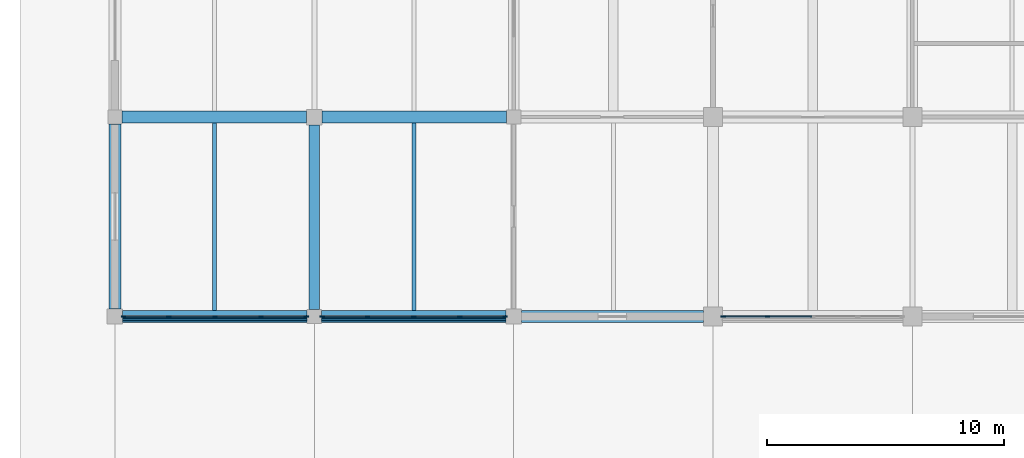
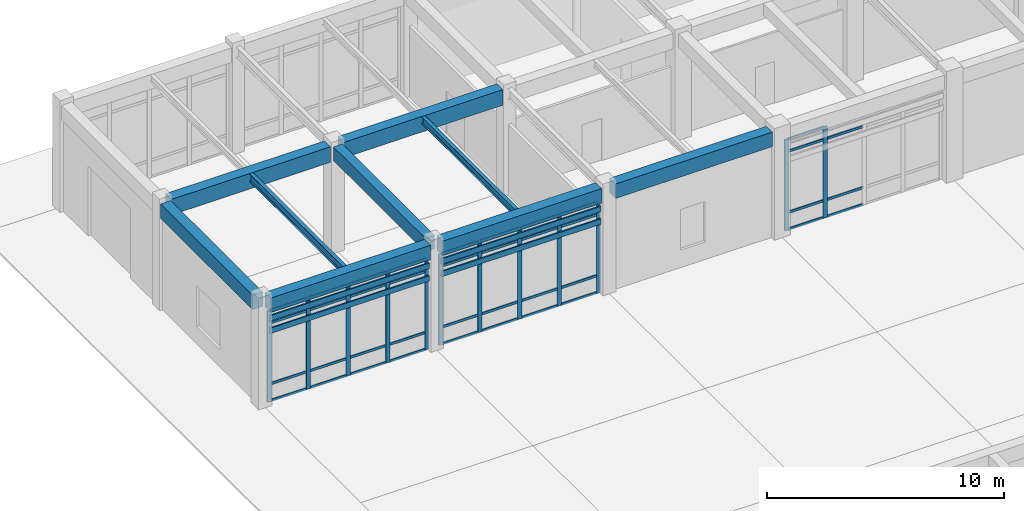
# One storey, part 19 of 91: 55 members, 9 beams, 3 elements without a shape of their own.
"""IFC4 building model written with IfcOpenShell, lengths in metres."""

from ifc_helpers import new_model, si_unit, direction, frame, origin, origin_2d, place, context, subcontext, project, spatial, rectangle, i_section, extrude, material, layer, layer_set, material_profile, profile_set, type_object, element, aggregate, save


model = new_model("IFC4")

# Units and contexts
model_context = context("Model", 3, precision=1e-05, world=origin(), true_north=direction((0.0, 1.0)))
body_context = subcontext(model_context, "Body", "Model", "MODEL_VIEW")
ifc_project = project(units=[si_unit("LENGTHUNIT", "METRE"), si_unit("AREAUNIT", "SQUARE_METRE"), si_unit("VOLUMEUNIT", "CUBIC_METRE"), si_unit("PLANEANGLEUNIT", "RADIAN"), si_unit("MASSUNIT", "GRAM", prefix="KILO")], contexts=[model_context])

# Site, building, storey
site_placement = place(None, origin())
site = spatial("IfcSite", under=ifc_project, at=site_placement, CompositionType="ELEMENT")
building_placement = place(site_placement, origin())
building = spatial("IfcBuilding", under=site, at=building_placement, Name="Porcellanite Civic Hall", CompositionType="ELEMENT")
storey_placement = place(building_placement, origin())
storey = spatial("IfcBuildingStorey", under=building, at=storey_placement, Name="L00", CompositionType="ELEMENT", Elevation=0.0)

# Beams
ifc_material_1 = material(Name="Concrete N50 (50 MPa)", Category="concrete")
ifc_material_profile_1 = material_profile(ifc_material_1, rectangle(XDim=0.449951171875, YDim=0.699951171875, at=origin_2d()), Name="RC-450x700")
ifc_profile_set_1 = profile_set([ifc_material_profile_1], Name="Concrete N50 (50 MPa)")
beam_type_1 = type_object("IfcBeamType", Name="BM-RC700", PredefinedType="BEAM", material=ifc_profile_set_1)
beam_1_placement = place(storey_placement, frame((8.39990234375, 101.099609375, 5.14990234375), z_axis=(0.0, 1.0, 0.0), x_axis=(-1.0, 0.0, 0.0)))
element("IfcBeam", 1, at=beam_1_placement, inside=storey, type_object=beam_type_1, Name="Beam Y L00 2-13", PredefinedType="BEAM", context=body_context, shape_type="SweptSolid", body=[
    extrude(rectangle(XDim=0.449951171875, YDim=0.699951171875, at=origin_2d()), origin(), (0.0, 0.0, 1.0), 7.77587890625),
])
ifc_material_2 = material(Name="Concrete N50 (50 MPa)", Category="concrete")
ifc_material_profile_2 = material_profile(ifc_material_2, rectangle(XDim=0.5, YDim=0.75, at=origin_2d()), Name="RC-500x750")
ifc_profile_set_2 = profile_set([ifc_material_profile_2], Name="Concrete N50 (50 MPa)")
beam_type_2 = type_object("IfcBeamType", Name="BM-RC750", PredefinedType="SPANDREL", material=ifc_profile_set_2)
for number, where, z_axis, x_axis, name in (
    (2, (0.324462890625, 100.800048828125, 5.125), (1.0, 0.0, 0.0), (0.0, 1.0, 0.0), "Beam X L00 1-13"),
    (3, (8.699462890625, 100.800048828125, 5.125), (1.0, 0.0, 0.0), (0.0, 1.0, 0.0), "Beam X L00 2-13"),
):
    element("IfcBeam", number, at=place(storey_placement, frame(where, z_axis=z_axis, x_axis=x_axis)), inside=storey, type_object=beam_type_2, Name=name, PredefinedType="SPANDREL", context=body_context, shape_type="SweptSolid", body=[
        extrude(rectangle(XDim=0.5, YDim=0.75, at=origin_2d()), origin(), (0.0, 0.0, 1.0), 7.776123046875),
    ])
beam_2_placement = place(storey_placement, frame((17.12451171875, 100.800048828125, 5.125), z_axis=(1.0, 0.0, 0.0), x_axis=(0.0, 1.0, 0.0)))
element("IfcBeam", 4, at=beam_2_placement, inside=storey, type_object=beam_type_2, Name="Beam X L00 3-13", PredefinedType="SPANDREL", context=body_context, shape_type="SweptSolid", body=[
    extrude(rectangle(XDim=0.5, YDim=0.75, at=origin_2d()), origin(), (0.0, 0.0, 1.0), 7.676025390625),
])
beam_3_placement = place(storey_placement, frame((0.0, 101.12451171875, 5.125), z_axis=(0.0, 1.0, 0.0), x_axis=(-1.0, 0.0, 0.0)))
element("IfcBeam", 5, at=beam_3_placement, inside=storey, type_object=beam_type_2, Name="Beam Y L00 1-13", PredefinedType="SPANDREL", context=body_context, shape_type="SweptSolid", body=[
    extrude(rectangle(XDim=0.5, YDim=0.75, at=origin_2d()), origin(), (0.0, 0.0, 1.0), 7.77587890625),
])
ifc_material_3 = material(Name="Concrete N50 (50 MPa)", Category="concrete")
ifc_material_profile_3 = material_profile(ifc_material_3, rectangle(XDim=0.5, YDim=0.800048828125, at=origin_2d()), Name="RC-500x800")
ifc_profile_set_3 = profile_set([ifc_material_profile_3], Name="Concrete N50 (50 MPa)")
beam_type_3 = type_object("IfcBeamType", Name="BM-RC800", PredefinedType="BEAM", material=ifc_profile_set_3)
for number, where, z_axis, x_axis, name in (
    (6, (0.299560546875, 109.199951171875, 5.10009765625), (1.0, 0.0, 0.0), (0.0, 1.0, 0.0), "Beam X L00 1-14"),
    (7, (8.724609375, 109.199951171875, 5.10009765625), (1.0, 0.0, 0.0), (0.0, 1.0, 0.0), "Beam X L00 2-14"),
):
    element("IfcBeam", number, at=place(storey_placement, frame(where, z_axis=z_axis, x_axis=x_axis)), inside=storey, type_object=beam_type_3, Name=name, PredefinedType="BEAM", context=body_context, shape_type="SweptSolid", body=[
        extrude(rectangle(XDim=0.5, YDim=0.800048828125, at=origin_2d()), origin(), (0.0, 0.0, 1.0), 7.77587890625),
    ])

# Curtain wall, members
ifc_material_4 = material(Name="Anodised aluminium and solar laminated glass", Category="aluminium")
ifc_layer = layer(ifc_material_4, 0.179931640625)
ifc_layer_set = layer_set([ifc_layer], Name="Anodised aluminium and solar laminated glass")
curtain_wall_type = type_object("IfcCurtainWallType", Name="CW-SYS05", PredefinedType="NOTDEFINED", material=ifc_layer_set)
curtain_wall_1_placement = place(storey_placement, origin())
curtain_wall_1 = element("IfcCurtainWall", 8, at=curtain_wall_1_placement, inside=storey, type_object=curtain_wall_type, Name="Curtain wall CW-005", PredefinedType="NOTDEFINED")
ifc_material_5 = material(Name="Anodised aluminium 6063-T6", Category="aluminium")
ifc_material_profile_4 = material_profile(ifc_material_5, rectangle(XDim=0.070068359375, YDim=0.199951171875, at=origin_2d()), Name="AL-70x200")
ifc_profile_set_4 = profile_set([ifc_material_profile_4], Name="Anodised aluminium 6063-T6")
member_type_1 = type_object("IfcMemberType", Name="CWM-05", PredefinedType="MULLION", material=ifc_profile_set_4)
member_1_placement = place(storey_placement, frame((8.06396484375, 100.800048828125, 0.0), z_axis=(0.0, 0.0, 1.0), x_axis=(0.0, -1.0, 0.0)))
member_1 = element("IfcMember", 9, at=member_1_placement, type_object=member_type_1, Name="CW-005 mullion 1", PredefinedType="MULLION", context=body_context, shape_type="SweptSolid", body=[
    extrude(rectangle(XDim=0.070068359375, YDim=0.199951171875, at=origin_2d()), origin(), (0.0, 0.0, 1.0), 4.699951171875),
])
member_2_placement = place(storey_placement, frame((6.15576171875, 100.800048828125, 0.0), z_axis=(0.0, 0.0, 1.0), x_axis=(0.0, -1.0, 0.0)))
member_2 = element("IfcMember", 10, at=member_2_placement, type_object=member_type_1, Name="CW-005 mullion 2", PredefinedType="MULLION", context=body_context, shape_type="SweptSolid", body=[
    extrude(rectangle(XDim=0.070068359375, YDim=0.199951171875, at=origin_2d()), origin(), (0.0, 0.0, 1.0), 4.699951171875),
])
member_3_placement = place(storey_placement, frame((4.21240234375, 100.800048828125, 0.0), z_axis=(0.0, 0.0, 1.0), x_axis=(0.0, -1.0, 0.0)))
member_3 = element("IfcMember", 11, at=member_3_placement, type_object=member_type_1, Name="CW-005 mullion 3", PredefinedType="MULLION", context=body_context, shape_type="SweptSolid", body=[
    extrude(rectangle(XDim=0.070068359375, YDim=0.199951171875, at=origin_2d()), origin(), (0.0, 0.0, 1.0), 4.699951171875),
])
member_4_placement = place(storey_placement, frame((2.269287109375, 100.800048828125, 0.0), z_axis=(0.0, 0.0, 1.0), x_axis=(0.0, -1.0, 0.0)))
member_4 = element("IfcMember", 12, at=member_4_placement, type_object=member_type_1, Name="CW-005 mullion 4", PredefinedType="MULLION", context=body_context, shape_type="SweptSolid", body=[
    extrude(rectangle(XDim=0.070068359375, YDim=0.199951171875, at=origin_2d()), origin(), (0.0, 0.0, 1.0), 4.699951171875),
])
member_5_placement = place(storey_placement, frame((0.361083984375, 100.800048828125, 0.0), z_axis=(0.0, 0.0, 1.0), x_axis=(0.0, -1.0, 0.0)))
member_5 = element("IfcMember", 13, at=member_5_placement, type_object=member_type_1, Name="CW-005 mullion 5", PredefinedType="MULLION", context=body_context, shape_type="SweptSolid", body=[
    extrude(rectangle(XDim=0.070068359375, YDim=0.199951171875, at=origin_2d()), origin(), (0.0, 0.0, 1.0), 4.699951171875),
])

curtain_wall_2_placement = place(storey_placement, origin())
curtain_wall_2 = element("IfcCurtainWall", 14, at=curtain_wall_2_placement, inside=storey, type_object=curtain_wall_type, Name="Curtain wall CW-008", PredefinedType="NOTDEFINED")
member_6_placement = place(storey_placement, frame((16.43896484375, 100.800048828125, 0.0), z_axis=(0.0, 0.0, 1.0), x_axis=(0.0, -1.0, 0.0)))
member_6 = element("IfcMember", 15, at=member_6_placement, type_object=member_type_1, Name="CW-008 mullion 1", PredefinedType="MULLION", context=body_context, shape_type="SweptSolid", body=[
    extrude(rectangle(XDim=0.070068359375, YDim=0.199951171875, at=origin_2d()), origin(), (0.0, 0.0, 1.0), 4.699951171875),
])
member_7_placement = place(storey_placement, frame((14.53076171875, 100.800048828125, 0.0), z_axis=(0.0, 0.0, 1.0), x_axis=(0.0, -1.0, 0.0)))
member_7 = element("IfcMember", 16, at=member_7_placement, type_object=member_type_1, Name="CW-008 mullion 2", PredefinedType="MULLION", context=body_context, shape_type="SweptSolid", body=[
    extrude(rectangle(XDim=0.070068359375, YDim=0.199951171875, at=origin_2d()), origin(), (0.0, 0.0, 1.0), 4.699951171875),
])
member_8_placement = place(storey_placement, frame((12.58740234375, 100.800048828125, 0.0), z_axis=(0.0, 0.0, 1.0), x_axis=(0.0, -1.0, 0.0)))
member_8 = element("IfcMember", 17, at=member_8_placement, type_object=member_type_1, Name="CW-008 mullion 3", PredefinedType="MULLION", context=body_context, shape_type="SweptSolid", body=[
    extrude(rectangle(XDim=0.070068359375, YDim=0.199951171875, at=origin_2d()), origin(), (0.0, 0.0, 1.0), 4.699951171875),
])
member_9_placement = place(storey_placement, frame((10.644287109375, 100.800048828125, 0.0), z_axis=(0.0, 0.0, 1.0), x_axis=(0.0, -1.0, 0.0)))
member_9 = element("IfcMember", 18, at=member_9_placement, type_object=member_type_1, Name="CW-008 mullion 4", PredefinedType="MULLION", context=body_context, shape_type="SweptSolid", body=[
    extrude(rectangle(XDim=0.070068359375, YDim=0.199951171875, at=origin_2d()), origin(), (0.0, 0.0, 1.0), 4.699951171875),
])
member_10_placement = place(storey_placement, frame((8.736083984375, 100.800048828125, 0.0), z_axis=(0.0, 0.0, 1.0), x_axis=(0.0, -1.0, 0.0)))
member_10 = element("IfcMember", 19, at=member_10_placement, type_object=member_type_1, Name="CW-008 mullion 5", PredefinedType="MULLION", context=body_context, shape_type="SweptSolid", body=[
    extrude(rectangle(XDim=0.070068359375, YDim=0.199951171875, at=origin_2d()), origin(), (0.0, 0.0, 1.0), 4.699951171875),
])

curtain_wall_3_placement = place(storey_placement, origin())
curtain_wall_3 = element("IfcCurtainWall", 20, at=curtain_wall_3_placement, inside=storey, type_object=curtain_wall_type, Name="Curtain wall CW-013", PredefinedType="NOTDEFINED")
member_11_placement = place(storey_placement, frame((27.50048828125, 100.800048828125, 0.0), z_axis=(0.0, 0.0, 1.0), x_axis=(0.0, -1.0, 0.0)))
member_11 = element("IfcMember", 21, at=member_11_placement, type_object=member_type_1, Name="CW-013 mullion 4", PredefinedType="MULLION", context=body_context, shape_type="SweptSolid", body=[
    extrude(rectangle(XDim=0.070068359375, YDim=0.199951171875, at=origin_2d()), origin(), (0.0, 0.0, 1.0), 4.699951171875),
])
member_12_placement = place(storey_placement, frame((25.635986328125, 100.800048828125, 0.0), z_axis=(0.0, 0.0, 1.0), x_axis=(0.0, -1.0, 0.0)))
member_12 = element("IfcMember", 22, at=member_12_placement, type_object=member_type_1, Name="CW-013 mullion 5", PredefinedType="MULLION", context=body_context, shape_type="SweptSolid", body=[
    extrude(rectangle(XDim=0.070068359375, YDim=0.199951171875, at=origin_2d()), origin(), (0.0, 0.0, 1.0), 4.699951171875),
])

# Member
ifc_material_6 = material(Name="Anodised aluminium 6063-T6", Category="aluminium")
ifc_material_profile_5 = material_profile(ifc_material_6, rectangle(XDim=0.06005859375, YDim=0.1298828125, at=origin_2d()), Name="AL-60x130")
ifc_profile_set_5 = profile_set([ifc_material_profile_5], Name="Anodised aluminium 6063-T6")
member_type_2 = type_object("IfcMemberType", Name="CWT-03", PredefinedType="USERDEFINED", material=ifc_profile_set_5)
member_13_placement = place(storey_placement, frame((8.029052734375, 100.800048828125, 0.030029296875), z_axis=(-1.0, 0.0, 0.0), x_axis=(0.0, -1.0, 0.0)))
member_13 = element("IfcMember", 23, at=member_13_placement, type_object=member_type_2, Name="CW-005 transom 1.1", ObjectType="TRANSOM", PredefinedType="USERDEFINED", context=body_context, shape_type="SweptSolid", body=[
    extrude(rectangle(XDim=0.06005859375, YDim=0.1298828125, at=origin_2d()), origin(), (0.0, 0.0, 1.0), 1.83837890625),
])

member_14_placement = place(storey_placement, frame((8.029052734375, 100.800048828125, 0.89990234375), z_axis=(-1.0, 0.0, 0.0), x_axis=(0.0, -1.0, 0.0)))
member_14 = element("IfcMember", 24, at=member_14_placement, type_object=member_type_2, Name="CW-005 transom 1.2", ObjectType="TRANSOM", PredefinedType="USERDEFINED", context=body_context, shape_type="SweptSolid", body=[
    extrude(rectangle(XDim=0.06005859375, YDim=0.1298828125, at=origin_2d()), origin(), (0.0, 0.0, 1.0), 1.83837890625),
])

member_15_placement = place(storey_placement, frame((8.029052734375, 100.800048828125, 4.050048828125), z_axis=(-1.0, 0.0, 0.0), x_axis=(0.0, -1.0, 0.0)))
member_15 = element("IfcMember", 25, at=member_15_placement, type_object=member_type_2, Name="CW-005 transom 1.3", ObjectType="TRANSOM", PredefinedType="USERDEFINED", context=body_context, shape_type="SweptSolid", body=[
    extrude(rectangle(XDim=0.06005859375, YDim=0.1298828125, at=origin_2d()), origin(), (0.0, 0.0, 1.0), 1.83837890625),
])

member_16_placement = place(storey_placement, frame((8.029052734375, 100.800048828125, 4.669921875), z_axis=(-1.0, 0.0, 0.0), x_axis=(0.0, -1.0, 0.0)))
member_16 = element("IfcMember", 26, at=member_16_placement, type_object=member_type_2, Name="CW-005 transom 1.4", ObjectType="TRANSOM", PredefinedType="USERDEFINED", context=body_context, shape_type="SweptSolid", body=[
    extrude(rectangle(XDim=0.06005859375, YDim=0.1298828125, at=origin_2d()), origin(), (0.0, 0.0, 1.0), 1.83837890625),
])

member_17_placement = place(storey_placement, frame((6.120849609375, 100.800048828125, 0.030029296875), z_axis=(-1.0, 0.0, 0.0), x_axis=(0.0, -1.0, 0.0)))
member_17 = element("IfcMember", 27, at=member_17_placement, type_object=member_type_2, Name="CW-005 transom 2.1", ObjectType="TRANSOM", PredefinedType="USERDEFINED", context=body_context, shape_type="SweptSolid", body=[
    extrude(rectangle(XDim=0.06005859375, YDim=0.1298828125, at=origin_2d()), origin(), (0.0, 0.0, 1.0), 1.873291015625),
])

member_18_placement = place(storey_placement, frame((6.120849609375, 100.800048828125, 0.89990234375), z_axis=(-1.0, 0.0, 0.0), x_axis=(0.0, -1.0, 0.0)))
member_18 = element("IfcMember", 28, at=member_18_placement, type_object=member_type_2, Name="CW-005 transom 2.2", ObjectType="TRANSOM", PredefinedType="USERDEFINED", context=body_context, shape_type="SweptSolid", body=[
    extrude(rectangle(XDim=0.06005859375, YDim=0.1298828125, at=origin_2d()), origin(), (0.0, 0.0, 1.0), 1.873291015625),
])

member_19_placement = place(storey_placement, frame((6.120849609375, 100.800048828125, 4.050048828125), z_axis=(-1.0, 0.0, 0.0), x_axis=(0.0, -1.0, 0.0)))
member_19 = element("IfcMember", 29, at=member_19_placement, type_object=member_type_2, Name="CW-005 transom 2.3", ObjectType="TRANSOM", PredefinedType="USERDEFINED", context=body_context, shape_type="SweptSolid", body=[
    extrude(rectangle(XDim=0.06005859375, YDim=0.1298828125, at=origin_2d()), origin(), (0.0, 0.0, 1.0), 1.873291015625),
])

member_20_placement = place(storey_placement, frame((6.120849609375, 100.800048828125, 4.669921875), z_axis=(-1.0, 0.0, 0.0), x_axis=(0.0, -1.0, 0.0)))
member_20 = element("IfcMember", 30, at=member_20_placement, type_object=member_type_2, Name="CW-005 transom 2.4", ObjectType="TRANSOM", PredefinedType="USERDEFINED", context=body_context, shape_type="SweptSolid", body=[
    extrude(rectangle(XDim=0.06005859375, YDim=0.1298828125, at=origin_2d()), origin(), (0.0, 0.0, 1.0), 1.873291015625),
])

member_21_placement = place(storey_placement, frame((4.177490234375, 100.800048828125, 0.030029296875), z_axis=(-1.0, 0.0, 0.0), x_axis=(0.0, -1.0, 0.0)))
member_21 = element("IfcMember", 31, at=member_21_placement, type_object=member_type_2, Name="CW-005 transom 3.1", ObjectType="TRANSOM", PredefinedType="USERDEFINED", context=body_context, shape_type="SweptSolid", body=[
    extrude(rectangle(XDim=0.06005859375, YDim=0.1298828125, at=origin_2d()), origin(), (0.0, 0.0, 1.0), 1.873291015625),
])

member_22_placement = place(storey_placement, frame((4.177490234375, 100.800048828125, 0.89990234375), z_axis=(-1.0, 0.0, 0.0), x_axis=(0.0, -1.0, 0.0)))
member_22 = element("IfcMember", 32, at=member_22_placement, type_object=member_type_2, Name="CW-005 transom 3.2", ObjectType="TRANSOM", PredefinedType="USERDEFINED", context=body_context, shape_type="SweptSolid", body=[
    extrude(rectangle(XDim=0.06005859375, YDim=0.1298828125, at=origin_2d()), origin(), (0.0, 0.0, 1.0), 1.873291015625),
])

member_23_placement = place(storey_placement, frame((4.177490234375, 100.800048828125, 4.050048828125), z_axis=(-1.0, 0.0, 0.0), x_axis=(0.0, -1.0, 0.0)))
member_23 = element("IfcMember", 33, at=member_23_placement, type_object=member_type_2, Name="CW-005 transom 3.3", ObjectType="TRANSOM", PredefinedType="USERDEFINED", context=body_context, shape_type="SweptSolid", body=[
    extrude(rectangle(XDim=0.06005859375, YDim=0.1298828125, at=origin_2d()), origin(), (0.0, 0.0, 1.0), 1.873291015625),
])

member_24_placement = place(storey_placement, frame((4.177490234375, 100.800048828125, 4.669921875), z_axis=(-1.0, 0.0, 0.0), x_axis=(0.0, -1.0, 0.0)))
member_24 = element("IfcMember", 34, at=member_24_placement, type_object=member_type_2, Name="CW-005 transom 3.4", ObjectType="TRANSOM", PredefinedType="USERDEFINED", context=body_context, shape_type="SweptSolid", body=[
    extrude(rectangle(XDim=0.06005859375, YDim=0.1298828125, at=origin_2d()), origin(), (0.0, 0.0, 1.0), 1.873291015625),
])

member_25_placement = place(storey_placement, frame((2.234130859375, 100.800048828125, 0.030029296875), z_axis=(-1.0, 0.0, 0.0), x_axis=(0.0, -1.0, 0.0)))
member_25 = element("IfcMember", 35, at=member_25_placement, type_object=member_type_2, Name="CW-005 transom 4.1", ObjectType="TRANSOM", PredefinedType="USERDEFINED", context=body_context, shape_type="SweptSolid", body=[
    extrude(rectangle(XDim=0.06005859375, YDim=0.1298828125, at=origin_2d()), origin(), (0.0, 0.0, 1.0), 1.838134765625),
])

member_26_placement = place(storey_placement, frame((2.234130859375, 100.800048828125, 0.89990234375), z_axis=(-1.0, 0.0, 0.0), x_axis=(0.0, -1.0, 0.0)))
member_26 = element("IfcMember", 36, at=member_26_placement, type_object=member_type_2, Name="CW-005 transom 4.2", ObjectType="TRANSOM", PredefinedType="USERDEFINED", context=body_context, shape_type="SweptSolid", body=[
    extrude(rectangle(XDim=0.06005859375, YDim=0.1298828125, at=origin_2d()), origin(), (0.0, 0.0, 1.0), 1.838134765625),
])

member_27_placement = place(storey_placement, frame((2.234130859375, 100.800048828125, 4.050048828125), z_axis=(-1.0, 0.0, 0.0), x_axis=(0.0, -1.0, 0.0)))
member_27 = element("IfcMember", 37, at=member_27_placement, type_object=member_type_2, Name="CW-005 transom 4.3", ObjectType="TRANSOM", PredefinedType="USERDEFINED", context=body_context, shape_type="SweptSolid", body=[
    extrude(rectangle(XDim=0.06005859375, YDim=0.1298828125, at=origin_2d()), origin(), (0.0, 0.0, 1.0), 1.838134765625),
])

member_28_placement = place(storey_placement, frame((2.234130859375, 100.800048828125, 4.669921875), z_axis=(-1.0, 0.0, 0.0), x_axis=(0.0, -1.0, 0.0)))
member_28 = element("IfcMember", 38, at=member_28_placement, type_object=member_type_2, Name="CW-005 transom 4.4", ObjectType="TRANSOM", PredefinedType="USERDEFINED", context=body_context, shape_type="SweptSolid", body=[
    extrude(rectangle(XDim=0.06005859375, YDim=0.1298828125, at=origin_2d()), origin(), (0.0, 0.0, 1.0), 1.838134765625),
])

aggregate(curtain_wall_1, [member_1, member_2, member_3, member_4, member_5, member_13, member_14, member_15, member_16, member_17, member_18, member_19, member_20, member_21, member_22, member_23, member_24, member_25, member_26, member_27, member_28])

member_29_placement = place(storey_placement, frame((16.404052734375, 100.800048828125, 0.030029296875), z_axis=(-1.0, 0.0, 0.0), x_axis=(0.0, -1.0, 0.0)))
member_29 = element("IfcMember", 39, at=member_29_placement, type_object=member_type_2, Name="CW-008 transom 1.1", ObjectType="TRANSOM", PredefinedType="USERDEFINED", context=body_context, shape_type="SweptSolid", body=[
    extrude(rectangle(XDim=0.06005859375, YDim=0.1298828125, at=origin_2d()), origin(), (0.0, 0.0, 1.0), 1.83837890625),
])

member_30_placement = place(storey_placement, frame((16.404052734375, 100.800048828125, 0.89990234375), z_axis=(-1.0, 0.0, 0.0), x_axis=(0.0, -1.0, 0.0)))
member_30 = element("IfcMember", 40, at=member_30_placement, type_object=member_type_2, Name="CW-008 transom 1.2", ObjectType="TRANSOM", PredefinedType="USERDEFINED", context=body_context, shape_type="SweptSolid", body=[
    extrude(rectangle(XDim=0.06005859375, YDim=0.1298828125, at=origin_2d()), origin(), (0.0, 0.0, 1.0), 1.83837890625),
])

member_31_placement = place(storey_placement, frame((16.404052734375, 100.800048828125, 4.050048828125), z_axis=(-1.0, 0.0, 0.0), x_axis=(0.0, -1.0, 0.0)))
member_31 = element("IfcMember", 41, at=member_31_placement, type_object=member_type_2, Name="CW-008 transom 1.3", ObjectType="TRANSOM", PredefinedType="USERDEFINED", context=body_context, shape_type="SweptSolid", body=[
    extrude(rectangle(XDim=0.06005859375, YDim=0.1298828125, at=origin_2d()), origin(), (0.0, 0.0, 1.0), 1.83837890625),
])

member_32_placement = place(storey_placement, frame((16.404052734375, 100.800048828125, 4.669921875), z_axis=(-1.0, 0.0, 0.0), x_axis=(0.0, -1.0, 0.0)))
member_32 = element("IfcMember", 42, at=member_32_placement, type_object=member_type_2, Name="CW-008 transom 1.4", ObjectType="TRANSOM", PredefinedType="USERDEFINED", context=body_context, shape_type="SweptSolid", body=[
    extrude(rectangle(XDim=0.06005859375, YDim=0.1298828125, at=origin_2d()), origin(), (0.0, 0.0, 1.0), 1.83837890625),
])

member_33_placement = place(storey_placement, frame((14.495849609375, 100.800048828125, 0.030029296875), z_axis=(-1.0, 0.0, 0.0), x_axis=(0.0, -1.0, 0.0)))
member_33 = element("IfcMember", 43, at=member_33_placement, type_object=member_type_2, Name="CW-008 transom 2.1", ObjectType="TRANSOM", PredefinedType="USERDEFINED", context=body_context, shape_type="SweptSolid", body=[
    extrude(rectangle(XDim=0.06005859375, YDim=0.1298828125, at=origin_2d()), origin(), (0.0, 0.0, 1.0), 1.873291015625),
])

member_34_placement = place(storey_placement, frame((14.495849609375, 100.800048828125, 0.89990234375), z_axis=(-1.0, 0.0, 0.0), x_axis=(0.0, -1.0, 0.0)))
member_34 = element("IfcMember", 44, at=member_34_placement, type_object=member_type_2, Name="CW-008 transom 2.2", ObjectType="TRANSOM", PredefinedType="USERDEFINED", context=body_context, shape_type="SweptSolid", body=[
    extrude(rectangle(XDim=0.06005859375, YDim=0.1298828125, at=origin_2d()), origin(), (0.0, 0.0, 1.0), 1.873291015625),
])

member_35_placement = place(storey_placement, frame((14.495849609375, 100.800048828125, 4.050048828125), z_axis=(-1.0, 0.0, 0.0), x_axis=(0.0, -1.0, 0.0)))
member_35 = element("IfcMember", 45, at=member_35_placement, type_object=member_type_2, Name="CW-008 transom 2.3", ObjectType="TRANSOM", PredefinedType="USERDEFINED", context=body_context, shape_type="SweptSolid", body=[
    extrude(rectangle(XDim=0.06005859375, YDim=0.1298828125, at=origin_2d()), origin(), (0.0, 0.0, 1.0), 1.873291015625),
])

member_36_placement = place(storey_placement, frame((14.495849609375, 100.800048828125, 4.669921875), z_axis=(-1.0, 0.0, 0.0), x_axis=(0.0, -1.0, 0.0)))
member_36 = element("IfcMember", 46, at=member_36_placement, type_object=member_type_2, Name="CW-008 transom 2.4", ObjectType="TRANSOM", PredefinedType="USERDEFINED", context=body_context, shape_type="SweptSolid", body=[
    extrude(rectangle(XDim=0.06005859375, YDim=0.1298828125, at=origin_2d()), origin(), (0.0, 0.0, 1.0), 1.873291015625),
])

member_37_placement = place(storey_placement, frame((12.552490234375, 100.800048828125, 0.030029296875), z_axis=(-1.0, 0.0, 0.0), x_axis=(0.0, -1.0, 0.0)))
member_37 = element("IfcMember", 47, at=member_37_placement, type_object=member_type_2, Name="CW-008 transom 3.1", ObjectType="TRANSOM", PredefinedType="USERDEFINED", context=body_context, shape_type="SweptSolid", body=[
    extrude(rectangle(XDim=0.06005859375, YDim=0.1298828125, at=origin_2d()), origin(), (0.0, 0.0, 1.0), 1.873291015625),
])

member_38_placement = place(storey_placement, frame((12.552490234375, 100.800048828125, 0.89990234375), z_axis=(-1.0, 0.0, 0.0), x_axis=(0.0, -1.0, 0.0)))
member_38 = element("IfcMember", 48, at=member_38_placement, type_object=member_type_2, Name="CW-008 transom 3.2", ObjectType="TRANSOM", PredefinedType="USERDEFINED", context=body_context, shape_type="SweptSolid", body=[
    extrude(rectangle(XDim=0.06005859375, YDim=0.1298828125, at=origin_2d()), origin(), (0.0, 0.0, 1.0), 1.873291015625),
])

member_39_placement = place(storey_placement, frame((12.552490234375, 100.800048828125, 4.050048828125), z_axis=(-1.0, 0.0, 0.0), x_axis=(0.0, -1.0, 0.0)))
member_39 = element("IfcMember", 49, at=member_39_placement, type_object=member_type_2, Name="CW-008 transom 3.3", ObjectType="TRANSOM", PredefinedType="USERDEFINED", context=body_context, shape_type="SweptSolid", body=[
    extrude(rectangle(XDim=0.06005859375, YDim=0.1298828125, at=origin_2d()), origin(), (0.0, 0.0, 1.0), 1.873291015625),
])

member_40_placement = place(storey_placement, frame((12.552490234375, 100.800048828125, 4.669921875), z_axis=(-1.0, 0.0, 0.0), x_axis=(0.0, -1.0, 0.0)))
member_40 = element("IfcMember", 50, at=member_40_placement, type_object=member_type_2, Name="CW-008 transom 3.4", ObjectType="TRANSOM", PredefinedType="USERDEFINED", context=body_context, shape_type="SweptSolid", body=[
    extrude(rectangle(XDim=0.06005859375, YDim=0.1298828125, at=origin_2d()), origin(), (0.0, 0.0, 1.0), 1.873291015625),
])

member_41_placement = place(storey_placement, frame((10.609130859375, 100.800048828125, 0.030029296875), z_axis=(-1.0, 0.0, 0.0), x_axis=(0.0, -1.0, 0.0)))
member_41 = element("IfcMember", 51, at=member_41_placement, type_object=member_type_2, Name="CW-008 transom 4.1", ObjectType="TRANSOM", PredefinedType="USERDEFINED", context=body_context, shape_type="SweptSolid", body=[
    extrude(rectangle(XDim=0.06005859375, YDim=0.1298828125, at=origin_2d()), origin(), (0.0, 0.0, 1.0), 1.838134765625),
])

member_42_placement = place(storey_placement, frame((10.609130859375, 100.800048828125, 0.89990234375), z_axis=(-1.0, 0.0, 0.0), x_axis=(0.0, -1.0, 0.0)))
member_42 = element("IfcMember", 52, at=member_42_placement, type_object=member_type_2, Name="CW-008 transom 4.2", ObjectType="TRANSOM", PredefinedType="USERDEFINED", context=body_context, shape_type="SweptSolid", body=[
    extrude(rectangle(XDim=0.06005859375, YDim=0.1298828125, at=origin_2d()), origin(), (0.0, 0.0, 1.0), 1.838134765625),
])

member_43_placement = place(storey_placement, frame((10.609130859375, 100.800048828125, 4.050048828125), z_axis=(-1.0, 0.0, 0.0), x_axis=(0.0, -1.0, 0.0)))
member_43 = element("IfcMember", 53, at=member_43_placement, type_object=member_type_2, Name="CW-008 transom 4.3", ObjectType="TRANSOM", PredefinedType="USERDEFINED", context=body_context, shape_type="SweptSolid", body=[
    extrude(rectangle(XDim=0.06005859375, YDim=0.1298828125, at=origin_2d()), origin(), (0.0, 0.0, 1.0), 1.838134765625),
])

member_44_placement = place(storey_placement, frame((10.609130859375, 100.800048828125, 4.669921875), z_axis=(-1.0, 0.0, 0.0), x_axis=(0.0, -1.0, 0.0)))
member_44 = element("IfcMember", 54, at=member_44_placement, type_object=member_type_2, Name="CW-008 transom 4.4", ObjectType="TRANSOM", PredefinedType="USERDEFINED", context=body_context, shape_type="SweptSolid", body=[
    extrude(rectangle(XDim=0.06005859375, YDim=0.1298828125, at=origin_2d()), origin(), (0.0, 0.0, 1.0), 1.838134765625),
])

aggregate(curtain_wall_2, [member_6, member_7, member_8, member_9, member_10, member_29, member_30, member_31, member_32, member_33, member_34, member_35, member_36, member_37, member_38, member_39, member_40, member_41, member_42, member_43, member_44])

member_45_placement = place(storey_placement, frame((29.364990234375, 100.800048828125, 0.030029296875), z_axis=(-1.0, 0.0, 0.0), x_axis=(0.0, -1.0, 0.0)))
member_45 = element("IfcMember", 55, at=member_45_placement, type_object=member_type_2, Name="CW-013 transom 3.1", ObjectType="TRANSOM", PredefinedType="USERDEFINED", context=body_context, shape_type="SweptSolid", body=[
    extrude(rectangle(XDim=0.06005859375, YDim=0.1298828125, at=origin_2d()), origin(), (0.0, 0.0, 1.0), 1.82958984375),
])

member_46_placement = place(storey_placement, frame((29.364990234375, 100.800048828125, 0.89990234375), z_axis=(-1.0, 0.0, 0.0), x_axis=(0.0, -1.0, 0.0)))
member_46 = element("IfcMember", 56, at=member_46_placement, type_object=member_type_2, Name="CW-013 transom 3.2", ObjectType="TRANSOM", PredefinedType="USERDEFINED", context=body_context, shape_type="SweptSolid", body=[
    extrude(rectangle(XDim=0.06005859375, YDim=0.1298828125, at=origin_2d()), origin(), (0.0, 0.0, 1.0), 1.82958984375),
])

member_47_placement = place(storey_placement, frame((29.364990234375, 100.800048828125, 4.050048828125), z_axis=(-1.0, 0.0, 0.0), x_axis=(0.0, -1.0, 0.0)))
member_47 = element("IfcMember", 57, at=member_47_placement, type_object=member_type_2, Name="CW-013 transom 3.3", ObjectType="TRANSOM", PredefinedType="USERDEFINED", context=body_context, shape_type="SweptSolid", body=[
    extrude(rectangle(XDim=0.06005859375, YDim=0.1298828125, at=origin_2d()), origin(), (0.0, 0.0, 1.0), 1.82958984375),
])

member_48_placement = place(storey_placement, frame((27.465576171875, 100.800048828125, 0.030029296875), z_axis=(-1.0, 0.0, 0.0), x_axis=(0.0, -1.0, 0.0)))
member_48 = element("IfcMember", 58, at=member_48_placement, type_object=member_type_2, Name="CW-013 transom 4.1", ObjectType="TRANSOM", PredefinedType="USERDEFINED", context=body_context, shape_type="SweptSolid", body=[
    extrude(rectangle(XDim=0.06005859375, YDim=0.1298828125, at=origin_2d()), origin(), (0.0, 0.0, 1.0), 1.794677734375),
])

member_49_placement = place(storey_placement, frame((27.465576171875, 100.800048828125, 0.89990234375), z_axis=(-1.0, 0.0, 0.0), x_axis=(0.0, -1.0, 0.0)))
member_49 = element("IfcMember", 59, at=member_49_placement, type_object=member_type_2, Name="CW-013 transom 4.2", ObjectType="TRANSOM", PredefinedType="USERDEFINED", context=body_context, shape_type="SweptSolid", body=[
    extrude(rectangle(XDim=0.06005859375, YDim=0.1298828125, at=origin_2d()), origin(), (0.0, 0.0, 1.0), 1.794677734375),
])

member_50_placement = place(storey_placement, frame((27.465576171875, 100.800048828125, 4.050048828125), z_axis=(-1.0, 0.0, 0.0), x_axis=(0.0, -1.0, 0.0)))
member_50 = element("IfcMember", 60, at=member_50_placement, type_object=member_type_2, Name="CW-013 transom 4.3", ObjectType="TRANSOM", PredefinedType="USERDEFINED", context=body_context, shape_type="SweptSolid", body=[
    extrude(rectangle(XDim=0.06005859375, YDim=0.1298828125, at=origin_2d()), origin(), (0.0, 0.0, 1.0), 1.794677734375),
])

member_51_placement = place(storey_placement, frame((27.465576171875, 100.800048828125, 4.669921875), z_axis=(-1.0, 0.0, 0.0), x_axis=(0.0, -1.0, 0.0)))
member_51 = element("IfcMember", 61, at=member_51_placement, type_object=member_type_2, Name="CW-013 transom 4.4", ObjectType="TRANSOM", PredefinedType="USERDEFINED", context=body_context, shape_type="SweptSolid", body=[
    extrude(rectangle(XDim=0.06005859375, YDim=0.1298828125, at=origin_2d()), origin(), (0.0, 0.0, 1.0), 1.794677734375),
])

aggregate(curtain_wall_3, [member_11, member_12, member_45, member_46, member_47, member_48, member_49, member_50, member_51])

# Beams
ifc_material_7 = material(Name="Steel Grade 350", Category="steel")
ifc_material_profile_6 = material_profile(ifc_material_7, i_section(OverallWidth=0.172119140625, OverallDepth=0.35888671875, WebThickness=0.008056640625, FlangeThickness=0.012939453125, FilletRadius=0.011474609375, at=origin_2d()), Name="360UB56.7")
ifc_profile_set_6 = profile_set([ifc_material_profile_6], Name="Steel Grade 350")
beam_type_4 = type_object("IfcBeamType", Name="JST-360UB57", PredefinedType="JOIST", material=ifc_profile_set_6)
beam_4_placement = place(storey_placement, frame((12.60009765625, 101.049560546875, 5.320556640625), z_axis=(0.0, 1.0, 0.0), x_axis=(-1.0, 0.0, 0.0)))
element("IfcBeam", 62, at=beam_4_placement, inside=storey, type_object=beam_type_4, Name="Secondary joist L00 2-13", PredefinedType="JOIST", context=body_context, shape_type="SweptSolid", body=[
    extrude(i_section(OverallWidth=0.172119140625, OverallDepth=0.35888671875, WebThickness=0.008056640625, FlangeThickness=0.012939453125, FilletRadius=0.011474609375, at=origin_2d()), origin(), (0.0, 0.0, 1.0), 7.90087890625),
])
ifc_material_8 = material(Name="Steel Grade 350", Category="steel")
ifc_material_profile_7 = material_profile(ifc_material_8, i_section(OverallWidth=0.177978515625, OverallDepth=0.403076171875, WebThickness=0.007568359375, FlangeThickness=0.010986328125, FilletRadius=0.011474609375, at=origin_2d()), Name="410UB53.7")
ifc_profile_set_7 = profile_set([ifc_material_profile_7], Name="Steel Grade 350")
beam_type_5 = type_object("IfcBeamType", Name="JST-410UB54", PredefinedType="JOIST", material=ifc_profile_set_7)
beam_5_placement = place(storey_placement, frame((4.199951171875, 101.049560546875, 5.298583984375), z_axis=(0.0, 1.0, 0.0), x_axis=(-1.0, 0.0, 0.0)))
element("IfcBeam", 63, at=beam_5_placement, inside=storey, type_object=beam_type_5, Name="Secondary joist L00 1-13", PredefinedType="JOIST", context=body_context, shape_type="SweptSolid", body=[
    extrude(i_section(OverallWidth=0.177978515625, OverallDepth=0.403076171875, WebThickness=0.007568359375, FlangeThickness=0.010986328125, FilletRadius=0.011474609375, at=origin_2d()), origin(), (0.0, 0.0, 1.0), 7.90087890625),
])

# Members
ifc_material_9 = material(Name="Fluoropolymer bauxite-red aluminium 6063-T6", Category="aluminium")
ifc_material_profile_8 = material_profile(ifc_material_9, rectangle(XDim=0.070068359375, YDim=0.280029296875, at=origin_2d()), Name="AL-70x280")
ifc_profile_set_8 = profile_set([ifc_material_profile_8], Name="Fluoropolymer bauxite-red aluminium 6063-T6")
member_type_3 = type_object("IfcMemberType", Name="LV-BLD05", PredefinedType="USERDEFINED", material=ifc_profile_set_8)
for number, where, z_axis, x_axis, name in (
    (64, (8.1005859375, 100.6630859375, 4.39990234375), (-1.0, 0.0, 0.0), (0.0, -1.0, 0.0), "Cyclone sunshade louvre L00 S 0-12 1"),
    (65, (8.1005859375, 100.6630859375, 3.75), (-1.0, 0.0, 0.0), (0.0, -1.0, 0.0), "Cyclone sunshade louvre L00 S 0-12 2"),
    (66, (16.4755859375, 100.6630859375, 4.39990234375), (-1.0, 0.0, 0.0), (0.0, -1.0, 0.0), "Cyclone sunshade louvre L00 S 1-12 1"),
    (67, (16.4755859375, 100.6630859375, 3.75), (-1.0, 0.0, 0.0), (0.0, -1.0, 0.0), "Cyclone sunshade louvre L00 S 1-12 2"),
):
    element("IfcMember", number, at=place(storey_placement, frame(where, z_axis=z_axis, x_axis=x_axis)), inside=storey, type_object=member_type_3, Name=name, ObjectType="LOUVRE BLADE", PredefinedType="USERDEFINED", context=body_context, shape_type="SweptSolid", body=[
        extrude(rectangle(XDim=0.070068359375, YDim=0.280029296875, at=origin_2d()), origin(), (0.0, 0.0, 1.0), 7.776123046875),
    ])

save(model, "model.ifc")
